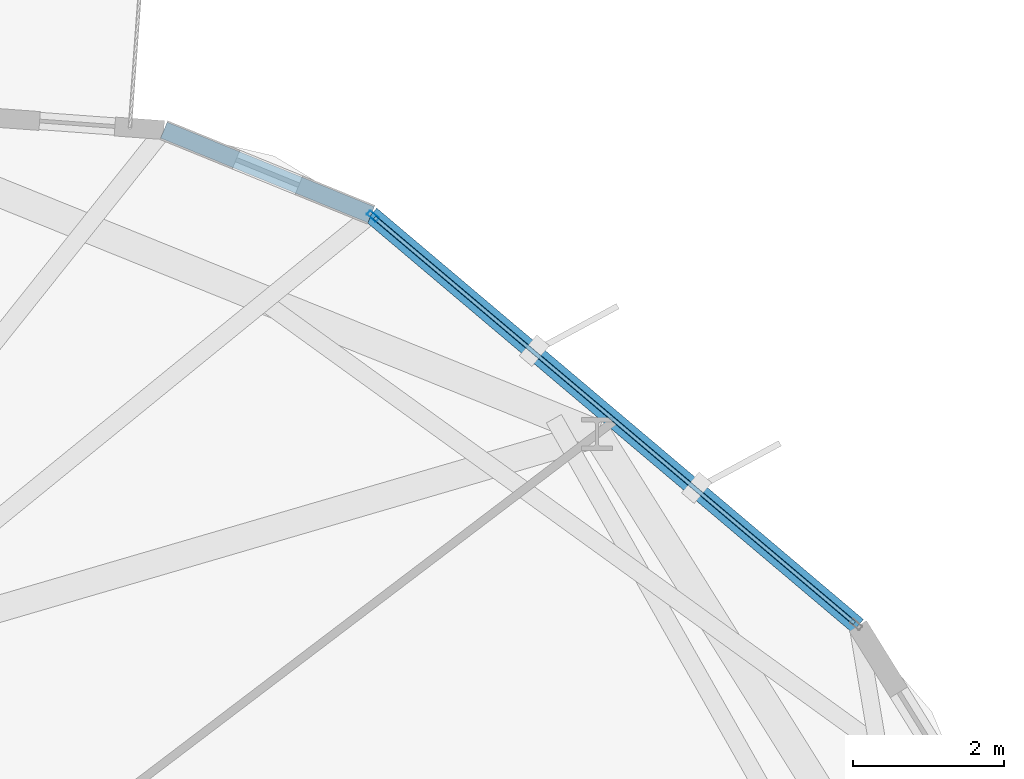
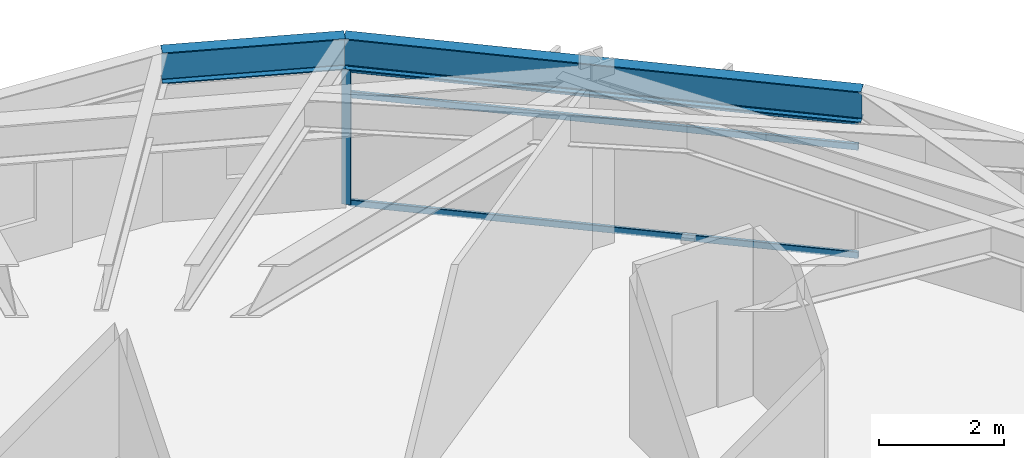
# One storey, part 13 of 21: 4 members, 2 beams, 1 element without a shape of its own.
"""IFC4 building model written with IfcOpenShell, lengths in metres."""

from ifc_helpers import new_model, si_unit, direction, frame, origin, origin_2d, place, context, subcontext, project, spatial, hollow_rectangle, i_section, extrude, material, layer, layer_set, material_profile, profile_set, type_object, element, aggregate, save


model = new_model("IFC4")

# Units and contexts
model_context = context("Model", 3, precision=1e-05, world=origin(), true_north=direction((0.0, 1.0)))
body_context = subcontext(model_context, "Body", "Model", "MODEL_VIEW")
ifc_project = project(units=[si_unit("LENGTHUNIT", "METRE"), si_unit("AREAUNIT", "SQUARE_METRE"), si_unit("VOLUMEUNIT", "CUBIC_METRE"), si_unit("PLANEANGLEUNIT", "RADIAN"), si_unit("MASSUNIT", "GRAM", prefix="KILO")], contexts=[model_context])

# Site, building, storey
site_placement = place(None, origin())
site = spatial("IfcSite", under=ifc_project, at=site_placement, CompositionType="ELEMENT")
building_placement = place(site_placement, origin())
building = spatial("IfcBuilding", under=site, at=building_placement, Name="Soratama Intermodal Tower", CompositionType="ELEMENT")
storey_placement = place(building_placement, frame((0.0, 0.0, 153.39990234375)))
storey = spatial("IfcBuildingStorey", under=building, at=storey_placement, Name="L37", CompositionType="ELEMENT", Elevation=153.39990234375)

# Beams
ifc_material_1 = material(Name="Structural steel ASTM A992 Grade 50", Category="steel")
ifc_material_profile_1 = material_profile(ifc_material_1, i_section(OverallWidth=0.22900390625, OverallDepth=0.612060546875, WebThickness=0.011962890625, FlangeThickness=0.01953125, FilletRadius=0.012939453125, at=origin_2d()), Name="W24X84")
ifc_profile_set_1 = profile_set([ifc_material_profile_1], Name="Structural steel ASTM A992 Grade 50")
beam_type = type_object("IfcBeamType", Name="BM-SPN-W24X84", PredefinedType="SPANDREL", material=ifc_profile_set_1)
beam_1_placement = place(storey_placement, frame((59.705078125, 35.863037109375, 2.994140625), z_axis=(-0.763805228499, 0.645446800998, 0.0), x_axis=(-0.645446800998, -0.763805228499, 0.0)))
element("IfcBeam", 1, at=beam_1_placement, inside=storey, type_object=beam_type, Name="BS-L37-F01", PredefinedType="SPANDREL", context=body_context, shape_type="SweptSolid", body=[
    extrude(i_section(OverallWidth=0.22900390625, OverallDepth=0.612060546875, WebThickness=0.011962890625, FlangeThickness=0.01953125, FilletRadius=0.012939453125, at=origin_2d()), origin(), (0.0, 0.0, 1.0), 8.440673828125),
])
beam_2_placement = place(storey_placement, frame((53.258056640625, 41.31103515625, 2.994140625), z_axis=(-0.925848231429, 0.377895557476, 0.0), x_axis=(-0.377895557476, -0.925848231429, 0.0)))
element("IfcBeam", 2, at=beam_2_placement, inside=storey, type_object=beam_type, Name="BS-L37-CRN01", PredefinedType="SPANDREL", context=body_context, shape_type="SweptSolid", body=[
    extrude(i_section(OverallWidth=0.22900390625, OverallDepth=0.612060546875, WebThickness=0.011962890625, FlangeThickness=0.01953125, FilletRadius=0.012939453125, at=origin_2d()), origin(), (0.0, 0.0, 1.0), 2.966064453125),
])

# Curtain wall, members
ifc_material_2 = material(Name="Double-glazed aluminium curtain wall", Category="aluminium")
ifc_layer = layer(ifc_material_2, 0.159912109375)
ifc_layer_set = layer_set([ifc_layer], Name="Double-glazed aluminium curtain wall")
curtain_wall_type = type_object("IfcCurtainWallType", Name="CW-SYS-4", PredefinedType="NOTDEFINED", material=ifc_layer_set)
curtain_wall_placement = place(storey_placement, origin())
curtain_wall = element("IfcCurtainWall", 3, at=curtain_wall_placement, inside=storey, type_object=curtain_wall_type, Name="L37 Faceted Curtain Wall F01", PredefinedType="NOTDEFINED")
ifc_material_3 = material(Name="Anodised aluminium AA 6063-T6", Category="aluminium")
ifc_material_profile_2 = material_profile(ifc_material_3, hollow_rectangle(XDim=0.070068359375, YDim=0.159912109375, WallThickness=0.0048828125, InnerFilletRadius=0.0048828125, OuterFilletRadius=0.010009765625, at=origin_2d()), Name="CWM160X70X5")
ifc_profile_set_2 = profile_set([ifc_material_profile_2], Name="Anodised aluminium AA 6063-T6")
member_type_1 = type_object("IfcMemberType", Name="MT-CWM-4", PredefinedType="MULLION", material=ifc_profile_set_2)
member_1_placement = place(storey_placement, frame((53.28125, 41.291259765625, 0.0), z_axis=(0.0, 0.0, 1.0), x_axis=(-0.645452960666, -0.763800023284, 0.0)))
member_1 = element("IfcMember", 4, at=member_1_placement, type_object=member_type_1, Name="CW-4 mullion 2", PredefinedType="MULLION", context=body_context, shape_type="SweptSolid", body=[
    extrude(hollow_rectangle(XDim=0.070068359375, YDim=0.159912109375, WallThickness=0.0048828125, InnerFilletRadius=0.0048828125, OuterFilletRadius=0.010009765625, at=origin_2d()), origin(), (0.0, 0.0, 1.0), 2.67919921875),
])
ifc_material_4 = material(Name="Anodised aluminium AA 6063-T6", Category="aluminium")
ifc_material_profile_3 = material_profile(ifc_material_4, hollow_rectangle(XDim=0.06005859375, YDim=0.1298828125, WallThickness=0.0048828125, InnerFilletRadius=0.0048828125, OuterFilletRadius=0.010009765625, at=origin_2d()), Name="CWT130X60X5")
ifc_profile_set_3 = profile_set([ifc_material_profile_3], Name="Anodised aluminium AA 6063-T6")
member_type_2 = type_object("IfcMemberType", Name="TT-CWT-2", PredefinedType="USERDEFINED", material=ifc_profile_set_3)
member_2_placement = place(storey_placement, frame((59.6591796875, 35.901611328125, 0.030029296875), z_axis=(-0.763796831098, 0.645456738135, 0.0), x_axis=(-0.645456738135, -0.763796831098, 0.0)))
member_2 = element("IfcMember", 5, at=member_2_placement, type_object=member_type_2, Name="CW-4 transom 1.1", ObjectType="TRANSOM", PredefinedType="USERDEFINED", context=body_context, shape_type="SweptSolid", body=[
    extrude(hollow_rectangle(XDim=0.06005859375, YDim=0.1298828125, WallThickness=0.0048828125, InnerFilletRadius=0.0048828125, OuterFilletRadius=0.010009765625, at=origin_2d()), origin(), (0.0, 0.0, 1.0), 8.3203125),
])
member_3_placement = place(storey_placement, frame((59.6591796875, 35.901611328125, 2.150146484375), z_axis=(-0.763796831098, 0.645456738135, 0.0), x_axis=(-0.645456738135, -0.763796831098, 0.0)))
member_3 = element("IfcMember", 6, at=member_3_placement, type_object=member_type_2, Name="CW-4 transom 1.2", ObjectType="TRANSOM", PredefinedType="USERDEFINED", context=body_context, shape_type="SweptSolid", body=[
    extrude(hollow_rectangle(XDim=0.06005859375, YDim=0.1298828125, WallThickness=0.0048828125, InnerFilletRadius=0.0048828125, OuterFilletRadius=0.010009765625, at=origin_2d()), origin(), (0.0, 0.0, 1.0), 8.3203125),
])
member_4_placement = place(storey_placement, frame((59.6591796875, 35.901611328125, 2.649169921875), z_axis=(-0.763796831098, 0.645456738135, 0.0), x_axis=(-0.645456738135, -0.763796831098, 0.0)))
member_4 = element("IfcMember", 7, at=member_4_placement, type_object=member_type_2, Name="CW-4 transom 1.3", ObjectType="TRANSOM", PredefinedType="USERDEFINED", context=body_context, shape_type="SweptSolid", body=[
    extrude(hollow_rectangle(XDim=0.06005859375, YDim=0.1298828125, WallThickness=0.0048828125, InnerFilletRadius=0.0048828125, OuterFilletRadius=0.010009765625, at=origin_2d()), origin(), (0.0, 0.0, 1.0), 8.3203125),
])
aggregate(curtain_wall, [member_1, member_2, member_3, member_4])

save(model, "model.ifc")
